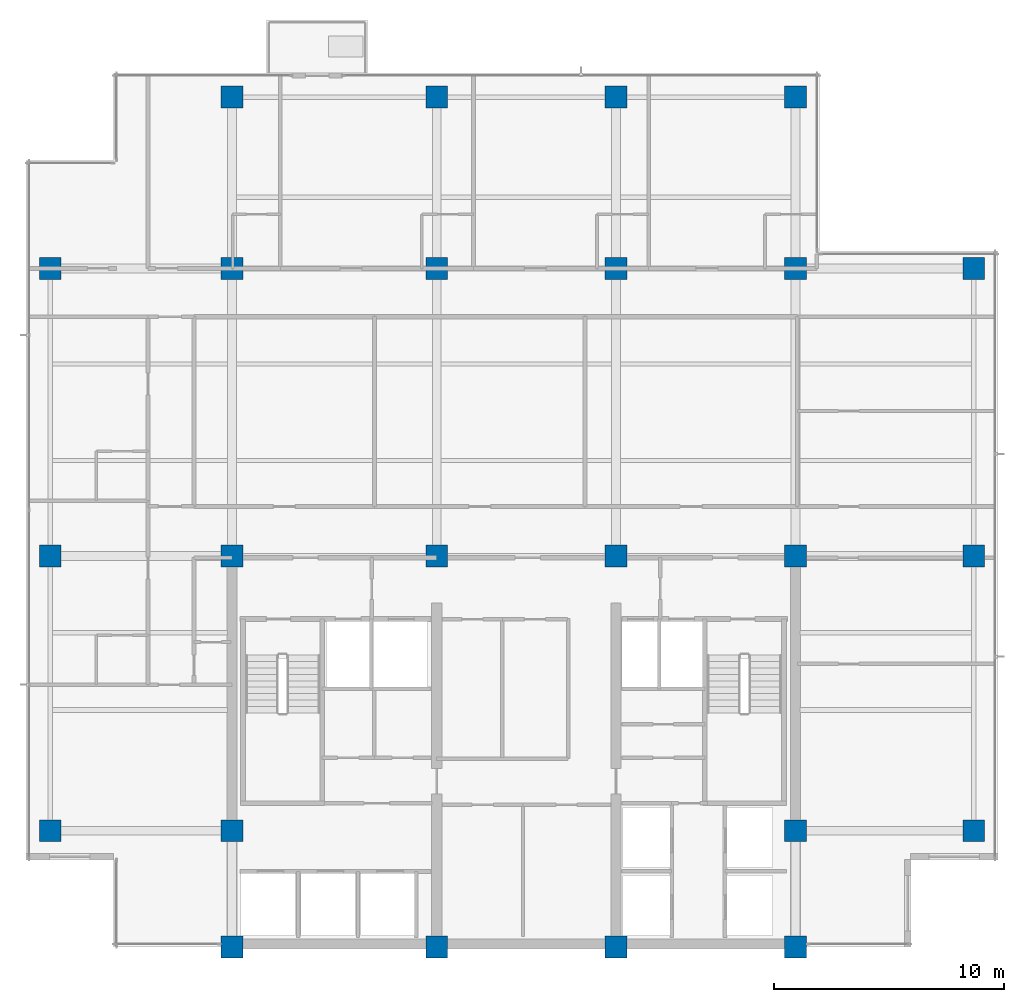
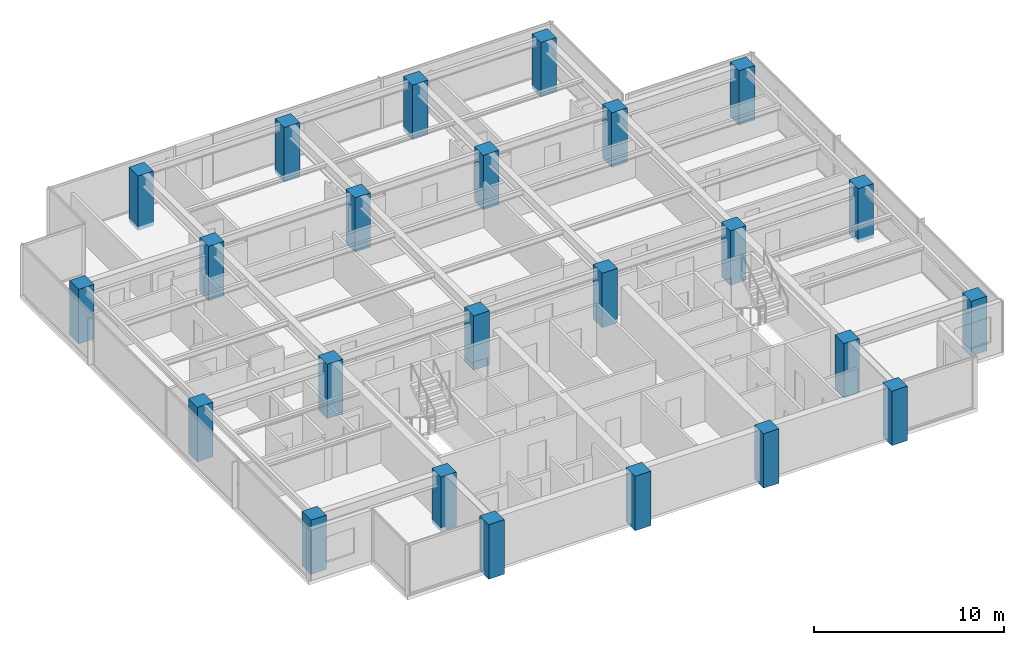
# One storey, part 1 of 14: 24 columns.
"""IFC4 building model written with IfcOpenShell, lengths in metres."""

from ifc_helpers import new_model, si_unit, direction, frame, origin, origin_2d, place, context, subcontext, project, spatial, rectangle, extrude, material, material_profile, profile_set, type_object, element, save


model = new_model("IFC4")

# Units and contexts
model_context = context("Model", 3, precision=1e-05, world=origin(), true_north=direction((0.0, 1.0)))
body_context = subcontext(model_context, "Body", "Model", "MODEL_VIEW")
ifc_project = project(units=[si_unit("LENGTHUNIT", "METRE"), si_unit("AREAUNIT", "SQUARE_METRE"), si_unit("VOLUMEUNIT", "CUBIC_METRE"), si_unit("PLANEANGLEUNIT", "RADIAN"), si_unit("MASSUNIT", "GRAM", prefix="KILO")], contexts=[model_context])

# Site, building, storey
site_placement = place(None, origin())
site = spatial("IfcSite", under=ifc_project, at=site_placement, CompositionType="ELEMENT")
building_placement = place(site_placement, origin())
building = spatial("IfcBuilding", under=site, at=building_placement, Name="Qalmaran Belvedere Hotel", CompositionType="ELEMENT")
storey_placement = place(building_placement, frame((0.0, 0.0, 210.89990234375)))
storey = spatial("IfcBuildingStorey", under=building, at=storey_placement, Name="L53", CompositionType="ELEMENT", Elevation=210.89990234375)

# Columns
ifc_material = material(Name="Concrete C50/60", Category="concrete")
ifc_material_profile = material_profile(ifc_material, rectangle(XDim=0.949951171875, YDim=0.949951171875, at=origin_2d()), Name="CC950X950")
ifc_profile_set = profile_set([ifc_material_profile], Name="Concrete C50/60")
column_type = type_object("IfcColumnType", Name="COL-Z4-CC950", PredefinedType="COLUMN", material=ifc_profile_set)
for number, where, z_axis, x_axis, name in (
    (1, (20.300048828125, 3.5, -0.239990234375), (0.0, 0.0, 1.0), (1.0, 0.0, 0.0), "L53 Column C4B"),
    (2, (29.199951171875, 3.5, -0.239990234375), (0.0, 0.0, 1.0), (1.0, 0.0, 0.0), "L53 Column C5B"),
    (3, (37.0, 3.5, -0.239990234375), (0.0, 0.0, 1.0), (1.0, 0.0, 0.0), "L53 Column C6B"),
    (4, (44.800048828125, 3.5, -0.239990234375), (0.0, 0.0, 1.0), (1.0, 0.0, 0.0), "L53 Column C7B"),
    (5, (20.300048828125, 8.550048828125, -0.239990234375), (0.0, 0.0, 1.0), (1.0, 0.0, 0.0), "L53 Column C4C"),
    (6, (44.800048828125, 8.550048828125, -0.239990234375), (0.0, 0.0, 1.0), (1.0, 0.0, 0.0), "L53 Column C7C"),
    (7, (20.300048828125, 20.5, -0.239990234375), (0.0, 0.0, 1.0), (1.0, 0.0, 0.0), "L53 Column C4D"),
    (8, (29.199951171875, 20.5, -0.239990234375), (0.0, 0.0, 1.0), (1.0, 0.0, 0.0), "L53 Column C5D"),
    (9, (37.0, 20.5, -0.239990234375), (0.0, 0.0, 1.0), (1.0, 0.0, 0.0), "L53 Column C6D"),
    (10, (44.800048828125, 20.5, -0.239990234375), (0.0, 0.0, 1.0), (1.0, 0.0, 0.0), "L53 Column C7D"),
    (11, (20.300048828125, 33.0, -0.239990234375), (0.0, 0.0, 1.0), (1.0, 0.0, 0.0), "L53 Column C4F"),
    (12, (29.199951171875, 33.0, -0.239990234375), (0.0, 0.0, 1.0), (1.0, 0.0, 0.0), "L53 Column C5F"),
    (13, (37.0, 33.0, -0.239990234375), (0.0, 0.0, 1.0), (1.0, 0.0, 0.0), "L53 Column C6F"),
    (14, (44.800048828125, 33.0, -0.239990234375), (0.0, 0.0, 1.0), (1.0, 0.0, 0.0), "L53 Column C7F"),
    (15, (12.39990234375, 8.550048828125, -0.239990234375), (0.0, 0.0, 1.0), (1.0, 0.0, 0.0), "L53 Column CW1"),
    (16, (12.39990234375, 20.5, -0.239990234375), (0.0, 0.0, 1.0), (1.0, 0.0, 0.0), "L53 Column CW3"),
    (17, (12.39990234375, 33.0, -0.239990234375), (0.0, 0.0, 1.0), (1.0, 0.0, 0.0), "L53 Column CW4"),
    (18, (52.550048828125, 8.550048828125, -0.239990234375), (0.0, 0.0, 1.0), (1.0, 0.0, 0.0), "L53 Column CE1"),
    (19, (52.550048828125, 20.5, -0.239990234375), (0.0, 0.0, 1.0), (1.0, 0.0, 0.0), "L53 Column CE3"),
    (20, (52.550048828125, 33.0, -0.239990234375), (0.0, 0.0, 1.0), (1.0, 0.0, 0.0), "L53 Column CE4"),
    (21, (20.300048828125, 40.449951171875, -0.239990234375), (0.0, 0.0, 1.0), (1.0, 0.0, 0.0), "L53 Column CN1"),
    (22, (29.199951171875, 40.449951171875, -0.239990234375), (0.0, 0.0, 1.0), (1.0, 0.0, 0.0), "L53 Column CN2"),
    (23, (37.0, 40.449951171875, -0.239990234375), (0.0, 0.0, 1.0), (1.0, 0.0, 0.0), "L53 Column CN3"),
    (24, (44.800048828125, 40.449951171875, -0.239990234375), (0.0, 0.0, 1.0), (1.0, 0.0, 0.0), "L53 Column CN4"),
):
    element("IfcColumn", number, at=place(storey_placement, frame(where, z_axis=z_axis, x_axis=x_axis)), inside=storey, type_object=column_type, Name=name, PredefinedType="COLUMN", context=body_context, shape_type="SweptSolid", body=[
        extrude(rectangle(XDim=0.949951171875, YDim=0.949951171875, at=origin_2d()), origin(), (0.0, 0.0, 1.0), 3.5),
    ])

save(model, "model.ifc")
